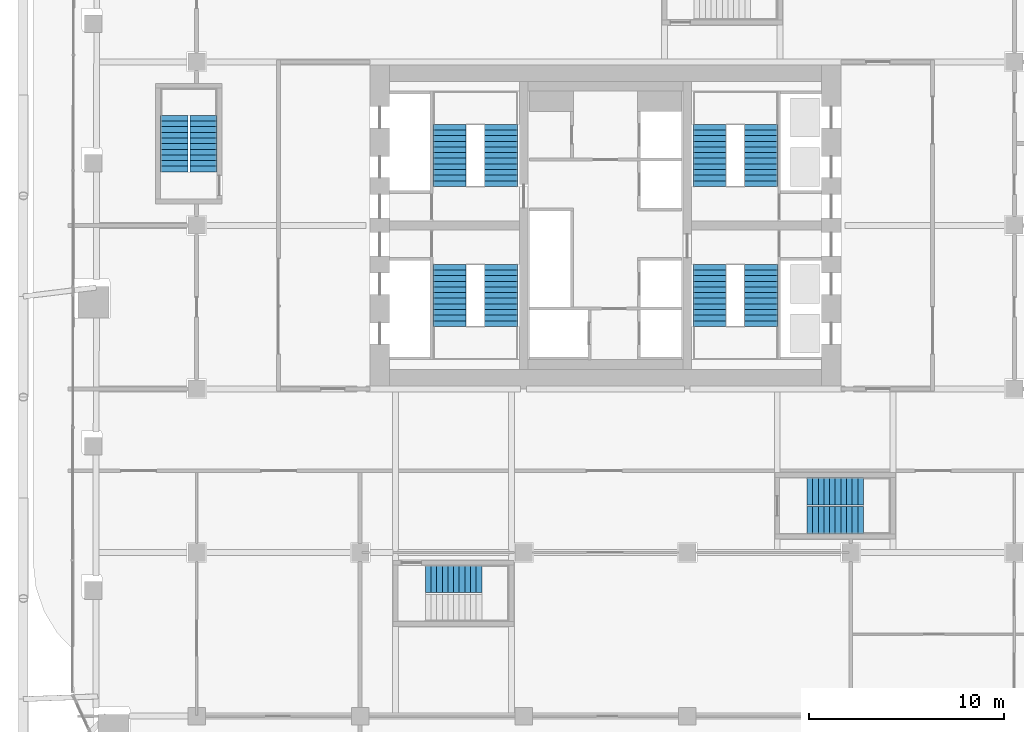
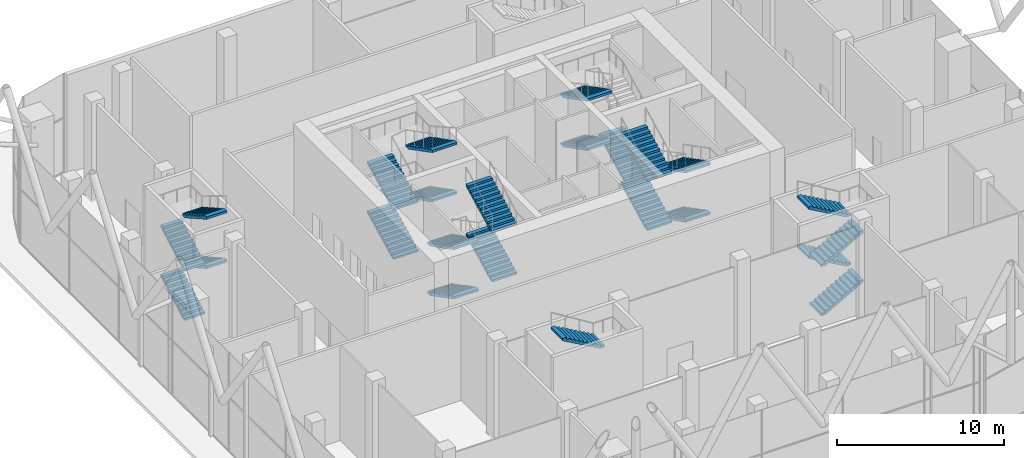
# One storey, part 29 of 34: 24 stair flights, 7 elements without a shape of their own.
"""IFC4 building model written with IfcOpenShell, lengths in metres."""

from ifc_helpers import new_model, si_unit, direction, frame, origin, place, context, subcontext, project, spatial, polyline, outline, extrude, material, type_object, element, aggregate, save


model = new_model("IFC4")

# Units and contexts
model_context = context("Model", 3, precision=1e-05, world=origin(), true_north=direction((0.0, 1.0)))
body_context = subcontext(model_context, "Body", "Model", "MODEL_VIEW")
ifc_project = project(units=[si_unit("LENGTHUNIT", "METRE"), si_unit("AREAUNIT", "SQUARE_METRE"), si_unit("VOLUMEUNIT", "CUBIC_METRE"), si_unit("PLANEANGLEUNIT", "RADIAN"), si_unit("MASSUNIT", "GRAM", prefix="KILO")], contexts=[model_context])

# Site, building, storey
site_placement = place(None, origin())
site = spatial("IfcSite", under=ifc_project, at=site_placement, CompositionType="ELEMENT")
building_placement = place(site_placement, origin())
building = spatial("IfcBuilding", under=site, at=building_placement, Name="Marenta Gate Hotel Tower", CompositionType="ELEMENT")
storey_placement = place(building_placement, frame((0.0, 0.0, 97.699951171875)))
storey = spatial("IfcBuildingStorey", under=building, at=storey_placement, Name="L21", CompositionType="ELEMENT", Elevation=97.699951171875)

# Stair, stair flights
ifc_material_1 = material(Name="Concrete C40", Category="concrete")
stair_type_1 = type_object("IfcStairType", Name="Core exit stair 1700 wide", PredefinedType="HALF_TURN_STAIR", material=ifc_material_1)
stair_1_placement = place(storey_placement, origin())
stair_1 = element("IfcStair", 1, at=stair_1_placement, inside=storey, type_object=stair_type_1, Name="Exit stair 1", PredefinedType="HALF_TURN_STAIR")
ifc_material_2 = material(Name="Concrete C40", Category="concrete")
stair_flight_type_1 = type_object("IfcStairFlightType", Name="Core stair flight 1700 riser 150.0 going 290", PredefinedType="STRAIGHT", material=ifc_material_2)
stair_flight_1_placement = place(storey_placement, frame((-8.0, 6.39990234375, 0.0), z_axis=(0.0, 0.0, 1.0), x_axis=(0.0, -1.0, 0.0)))
stair_flight_1 = element("IfcStairFlight", 2, at=stair_flight_1_placement, type_object=stair_flight_type_1, Name="ST1 flight 1", NumberOfRisers=12, NumberOfTreads=11, PredefinedType="STRAIGHT", RiserHeight=0.15, TreadLength=0.29, context=body_context, shape_type="SweptSolid", body=[
    extrude(outline(polyline([(0.0, 0.0), (0.0, 0.14990234375), (0.2900390625, 0.14990234375), (0.2900390625, 0.300048828125), (0.580078125, 0.300048828125), (0.580078125, 0.449951171875), (0.8701171875, 0.449951171875), (0.8701171875, 0.60009765625), (1.159912109375, 0.60009765625), (1.159912109375, 0.75), (1.449951171875, 0.75), (1.449951171875, 0.89990234375), (1.739990234375, 0.89990234375), (1.739990234375, 1.050048828125), (2.030029296875, 1.050048828125), (2.030029296875, 1.199951171875), (2.320068359375, 1.199951171875), (2.320068359375, 1.35009765625), (2.610107421875, 1.35009765625), (2.610107421875, 1.5), (2.89990234375, 1.5), (2.89990234375, 1.64990234375), (3.18994140625, 1.64990234375), (3.18994140625, 1.800048828125), (3.18994140625, 1.481201171875), (0.326171875, 0.0), (0.0, 0.0)])), frame((0.0, 0.85009765625, 0.0), z_axis=(0.0, -1.0, 0.0), x_axis=(1.0, 0.0, 0.0)), (0.0, 0.0, 1.0), 1.699951171875),
])
stair_flight_2_placement = place(storey_placement, frame((-5.35009765625, 3.2099609375, 1.800048828125), z_axis=(0.0, 0.0, 1.0), x_axis=(0.0, 1.0, 0.0)))
stair_flight_2 = element("IfcStairFlight", 3, at=stair_flight_2_placement, type_object=stair_flight_type_1, Name="ST1 flight 2", NumberOfRisers=12, NumberOfTreads=11, PredefinedType="STRAIGHT", RiserHeight=0.15, TreadLength=0.29, context=body_context, shape_type="SweptSolid", body=[
    extrude(outline(polyline([(0.0, 0.0), (0.0, 0.14990234375), (0.2900390625, 0.14990234375), (0.2900390625, 0.300048828125), (0.580078125, 0.300048828125), (0.580078125, 0.449951171875), (0.8701171875, 0.449951171875), (0.8701171875, 0.60009765625), (1.159912109375, 0.60009765625), (1.159912109375, 0.75), (1.449951171875, 0.75), (1.449951171875, 0.89990234375), (1.739990234375, 0.89990234375), (1.739990234375, 1.050048828125), (2.030029296875, 1.050048828125), (2.030029296875, 1.199951171875), (2.320068359375, 1.199951171875), (2.320068359375, 1.35009765625), (2.610107421875, 1.35009765625), (2.610107421875, 1.5), (2.89990234375, 1.5), (2.89990234375, 1.64990234375), (3.18994140625, 1.64990234375), (3.18994140625, 1.800048828125), (3.18994140625, 1.481201171875), (0.326171875, 0.0), (0.0, 0.0)])), frame((0.0, 0.85009765625, 0.0), z_axis=(0.0, -1.0, 0.0), x_axis=(1.0, 0.0, 0.0)), (0.0, 0.0, 1.0), 1.699951171875),
])
stair_flight_3_placement = place(storey_placement, frame((-8.0, 6.39990234375, 3.60009765625), z_axis=(0.0, 0.0, 1.0), x_axis=(0.0, -1.0, 0.0)))
stair_flight_3 = element("IfcStairFlight", 4, at=stair_flight_3_placement, type_object=stair_flight_type_1, Name="ST1 flight 3", NumberOfRisers=12, NumberOfTreads=11, PredefinedType="STRAIGHT", RiserHeight=0.15, TreadLength=0.29, context=body_context, shape_type="SweptSolid", body=[
    extrude(outline(polyline([(0.0, 0.0), (0.0, 0.14990234375), (0.2900390625, 0.14990234375), (0.2900390625, 0.300048828125), (0.580078125, 0.300048828125), (0.580078125, 0.449951171875), (0.8701171875, 0.449951171875), (0.8701171875, 0.60009765625), (1.159912109375, 0.60009765625), (1.159912109375, 0.75), (1.449951171875, 0.75), (1.449951171875, 0.89990234375), (1.739990234375, 0.89990234375), (1.739990234375, 1.050048828125), (2.030029296875, 1.050048828125), (2.030029296875, 1.199951171875), (2.320068359375, 1.199951171875), (2.320068359375, 1.35009765625), (2.610107421875, 1.35009765625), (2.610107421875, 1.5), (2.89990234375, 1.5), (2.89990234375, 1.64990234375), (3.18994140625, 1.64990234375), (3.18994140625, 1.800048828125), (3.18994140625, 1.481201171875), (0.326171875, 0.0), (0.0, 0.0)])), frame((0.0, 0.85009765625, 0.0), z_axis=(0.0, -1.0, 0.0), x_axis=(1.0, 0.0, 0.0)), (0.0, 0.0, 1.0), 1.699951171875),
])
stair_flight_4_placement = place(storey_placement, frame((-5.35009765625, 3.2099609375, 5.400146484375), z_axis=(0.0, 0.0, 1.0), x_axis=(0.0, 1.0, 0.0)))
stair_flight_4 = element("IfcStairFlight", 5, at=stair_flight_4_placement, type_object=stair_flight_type_1, Name="ST1 flight 4", NumberOfRisers=12, NumberOfTreads=11, PredefinedType="STRAIGHT", RiserHeight=0.15, TreadLength=0.29, context=body_context, shape_type="SweptSolid", body=[
    extrude(outline(polyline([(0.0, 0.0), (0.0, 0.14990234375), (0.2900390625, 0.14990234375), (0.2900390625, 0.300048828125), (0.580078125, 0.300048828125), (0.580078125, 0.449951171875), (0.8701171875, 0.449951171875), (0.8701171875, 0.60009765625), (1.159912109375, 0.60009765625), (1.159912109375, 0.75), (1.449951171875, 0.75), (1.449951171875, 0.89990234375), (1.739990234375, 0.89990234375), (1.739990234375, 1.050048828125), (2.030029296875, 1.050048828125), (2.030029296875, 1.199951171875), (2.320068359375, 1.199951171875), (2.320068359375, 1.35009765625), (2.610107421875, 1.35009765625), (2.610107421875, 1.5), (2.89990234375, 1.5), (2.89990234375, 1.64990234375), (3.18994140625, 1.64990234375), (3.18994140625, 1.800048828125), (3.18994140625, 1.481201171875), (0.326171875, 0.0), (0.0, 0.0)])), frame((0.0, 0.85009765625, 0.0), z_axis=(0.0, -1.0, 0.0), x_axis=(1.0, 0.0, 0.0)), (0.0, 0.0, 1.0), 1.699951171875),
])
aggregate(stair_1, [stair_flight_1, stair_flight_2, stair_flight_3, stair_flight_4])

stair_2_placement = place(storey_placement, origin())
stair_2 = element("IfcStair", 6, at=stair_2_placement, inside=storey, type_object=stair_type_1, Name="Exit stair 2", PredefinedType="HALF_TURN_STAIR")
stair_flight_5_placement = place(storey_placement, frame((-8.0, 10.39990234375, 0.0), z_axis=(0.0, 0.0, 1.0), x_axis=(0.0, 1.0, 0.0)))
stair_flight_5 = element("IfcStairFlight", 7, at=stair_flight_5_placement, type_object=stair_flight_type_1, Name="ST2 flight 1", NumberOfRisers=12, NumberOfTreads=11, PredefinedType="STRAIGHT", RiserHeight=0.15, TreadLength=0.29, context=body_context, shape_type="SweptSolid", body=[
    extrude(outline(polyline([(0.0, 0.0), (0.0, 0.14990234375), (0.2900390625, 0.14990234375), (0.2900390625, 0.300048828125), (0.580078125, 0.300048828125), (0.580078125, 0.449951171875), (0.8701171875, 0.449951171875), (0.8701171875, 0.60009765625), (1.159912109375, 0.60009765625), (1.159912109375, 0.75), (1.449951171875, 0.75), (1.449951171875, 0.89990234375), (1.739990234375, 0.89990234375), (1.739990234375, 1.050048828125), (2.030029296875, 1.050048828125), (2.030029296875, 1.199951171875), (2.320068359375, 1.199951171875), (2.320068359375, 1.35009765625), (2.610107421875, 1.35009765625), (2.610107421875, 1.5), (2.89990234375, 1.5), (2.89990234375, 1.64990234375), (3.18994140625, 1.64990234375), (3.18994140625, 1.800048828125), (3.18994140625, 1.481201171875), (0.326171875, 0.0), (0.0, 0.0)])), frame((0.0, 0.85009765625, 0.0), z_axis=(0.0, -1.0, 0.0), x_axis=(1.0, 0.0, 0.0)), (0.0, 0.0, 1.0), 1.699951171875),
])
stair_flight_6_placement = place(storey_placement, frame((-5.35009765625, 13.590087890625, 1.800048828125), z_axis=(0.0, 0.0, 1.0), x_axis=(0.0, -1.0, 0.0)))
stair_flight_6 = element("IfcStairFlight", 8, at=stair_flight_6_placement, type_object=stair_flight_type_1, Name="ST2 flight 2", NumberOfRisers=12, NumberOfTreads=11, PredefinedType="STRAIGHT", RiserHeight=0.15, TreadLength=0.29, context=body_context, shape_type="SweptSolid", body=[
    extrude(outline(polyline([(0.0, 0.0), (0.0, 0.14990234375), (0.2900390625, 0.14990234375), (0.2900390625, 0.300048828125), (0.580078125, 0.300048828125), (0.580078125, 0.449951171875), (0.8701171875, 0.449951171875), (0.8701171875, 0.60009765625), (1.159912109375, 0.60009765625), (1.159912109375, 0.75), (1.449951171875, 0.75), (1.449951171875, 0.89990234375), (1.739990234375, 0.89990234375), (1.739990234375, 1.050048828125), (2.030029296875, 1.050048828125), (2.030029296875, 1.199951171875), (2.320068359375, 1.199951171875), (2.320068359375, 1.35009765625), (2.610107421875, 1.35009765625), (2.610107421875, 1.5), (2.89990234375, 1.5), (2.89990234375, 1.64990234375), (3.18994140625, 1.64990234375), (3.18994140625, 1.800048828125), (3.18994140625, 1.481201171875), (0.326171875, 0.0), (0.0, 0.0)])), frame((0.0, 0.85009765625, 0.0), z_axis=(0.0, -1.0, 0.0), x_axis=(1.0, 0.0, 0.0)), (0.0, 0.0, 1.0), 1.699951171875),
])
stair_flight_7_placement = place(storey_placement, frame((-8.0, 10.39990234375, 3.60009765625), z_axis=(0.0, 0.0, 1.0), x_axis=(0.0, 1.0, 0.0)))
stair_flight_7 = element("IfcStairFlight", 9, at=stair_flight_7_placement, type_object=stair_flight_type_1, Name="ST2 flight 3", NumberOfRisers=12, NumberOfTreads=11, PredefinedType="STRAIGHT", RiserHeight=0.15, TreadLength=0.29, context=body_context, shape_type="SweptSolid", body=[
    extrude(outline(polyline([(0.0, 0.0), (0.0, 0.14990234375), (0.2900390625, 0.14990234375), (0.2900390625, 0.300048828125), (0.580078125, 0.300048828125), (0.580078125, 0.449951171875), (0.8701171875, 0.449951171875), (0.8701171875, 0.60009765625), (1.159912109375, 0.60009765625), (1.159912109375, 0.75), (1.449951171875, 0.75), (1.449951171875, 0.89990234375), (1.739990234375, 0.89990234375), (1.739990234375, 1.050048828125), (2.030029296875, 1.050048828125), (2.030029296875, 1.199951171875), (2.320068359375, 1.199951171875), (2.320068359375, 1.35009765625), (2.610107421875, 1.35009765625), (2.610107421875, 1.5), (2.89990234375, 1.5), (2.89990234375, 1.64990234375), (3.18994140625, 1.64990234375), (3.18994140625, 1.800048828125), (3.18994140625, 1.481201171875), (0.326171875, 0.0), (0.0, 0.0)])), frame((0.0, 0.85009765625, 0.0), z_axis=(0.0, -1.0, 0.0), x_axis=(1.0, 0.0, 0.0)), (0.0, 0.0, 1.0), 1.699951171875),
])
stair_flight_8_placement = place(storey_placement, frame((-5.35009765625, 13.590087890625, 5.400146484375), z_axis=(0.0, 0.0, 1.0), x_axis=(0.0, -1.0, 0.0)))
stair_flight_8 = element("IfcStairFlight", 10, at=stair_flight_8_placement, type_object=stair_flight_type_1, Name="ST2 flight 4", NumberOfRisers=12, NumberOfTreads=11, PredefinedType="STRAIGHT", RiserHeight=0.15, TreadLength=0.29, context=body_context, shape_type="SweptSolid", body=[
    extrude(outline(polyline([(0.0, 0.0), (0.0, 0.14990234375), (0.2900390625, 0.14990234375), (0.2900390625, 0.300048828125), (0.580078125, 0.300048828125), (0.580078125, 0.449951171875), (0.8701171875, 0.449951171875), (0.8701171875, 0.60009765625), (1.159912109375, 0.60009765625), (1.159912109375, 0.75), (1.449951171875, 0.75), (1.449951171875, 0.89990234375), (1.739990234375, 0.89990234375), (1.739990234375, 1.050048828125), (2.030029296875, 1.050048828125), (2.030029296875, 1.199951171875), (2.320068359375, 1.199951171875), (2.320068359375, 1.35009765625), (2.610107421875, 1.35009765625), (2.610107421875, 1.5), (2.89990234375, 1.5), (2.89990234375, 1.64990234375), (3.18994140625, 1.64990234375), (3.18994140625, 1.800048828125), (3.18994140625, 1.481201171875), (0.326171875, 0.0), (0.0, 0.0)])), frame((0.0, 0.85009765625, 0.0), z_axis=(0.0, -1.0, 0.0), x_axis=(1.0, 0.0, 0.0)), (0.0, 0.0, 1.0), 1.699951171875),
])
aggregate(stair_2, [stair_flight_5, stair_flight_6, stair_flight_7, stair_flight_8])

stair_3_placement = place(storey_placement, origin())
stair_3 = element("IfcStair", 11, at=stair_3_placement, inside=storey, type_object=stair_type_1, Name="Exit stair 3", PredefinedType="HALF_TURN_STAIR")
stair_flight_9_placement = place(storey_placement, frame((8.0, 6.39990234375, 0.0), z_axis=(0.0, 0.0, 1.0), x_axis=(0.0, -1.0, 0.0)))
stair_flight_9 = element("IfcStairFlight", 12, at=stair_flight_9_placement, type_object=stair_flight_type_1, Name="ST3 flight 1", NumberOfRisers=12, NumberOfTreads=11, PredefinedType="STRAIGHT", RiserHeight=0.15, TreadLength=0.29, context=body_context, shape_type="SweptSolid", body=[
    extrude(outline(polyline([(0.0, 0.0), (0.0, 0.14990234375), (0.2900390625, 0.14990234375), (0.2900390625, 0.300048828125), (0.580078125, 0.300048828125), (0.580078125, 0.449951171875), (0.8701171875, 0.449951171875), (0.8701171875, 0.60009765625), (1.159912109375, 0.60009765625), (1.159912109375, 0.75), (1.449951171875, 0.75), (1.449951171875, 0.89990234375), (1.739990234375, 0.89990234375), (1.739990234375, 1.050048828125), (2.030029296875, 1.050048828125), (2.030029296875, 1.199951171875), (2.320068359375, 1.199951171875), (2.320068359375, 1.35009765625), (2.610107421875, 1.35009765625), (2.610107421875, 1.5), (2.89990234375, 1.5), (2.89990234375, 1.64990234375), (3.18994140625, 1.64990234375), (3.18994140625, 1.800048828125), (3.18994140625, 1.481201171875), (0.326171875, 0.0), (0.0, 0.0)])), frame((0.0, 0.85009765625, 0.0), z_axis=(0.0, -1.0, 0.0), x_axis=(1.0, 0.0, 0.0)), (0.0, 0.0, 1.0), 1.699951171875),
])
stair_flight_10_placement = place(storey_placement, frame((5.35009765625, 3.2099609375, 1.800048828125), z_axis=(0.0, 0.0, 1.0), x_axis=(0.0, 1.0, 0.0)))
stair_flight_10 = element("IfcStairFlight", 13, at=stair_flight_10_placement, type_object=stair_flight_type_1, Name="ST3 flight 2", NumberOfRisers=12, NumberOfTreads=11, PredefinedType="STRAIGHT", RiserHeight=0.15, TreadLength=0.29, context=body_context, shape_type="SweptSolid", body=[
    extrude(outline(polyline([(0.0, 0.0), (0.0, 0.14990234375), (0.2900390625, 0.14990234375), (0.2900390625, 0.300048828125), (0.580078125, 0.300048828125), (0.580078125, 0.449951171875), (0.8701171875, 0.449951171875), (0.8701171875, 0.60009765625), (1.159912109375, 0.60009765625), (1.159912109375, 0.75), (1.449951171875, 0.75), (1.449951171875, 0.89990234375), (1.739990234375, 0.89990234375), (1.739990234375, 1.050048828125), (2.030029296875, 1.050048828125), (2.030029296875, 1.199951171875), (2.320068359375, 1.199951171875), (2.320068359375, 1.35009765625), (2.610107421875, 1.35009765625), (2.610107421875, 1.5), (2.89990234375, 1.5), (2.89990234375, 1.64990234375), (3.18994140625, 1.64990234375), (3.18994140625, 1.800048828125), (3.18994140625, 1.481201171875), (0.326171875, 0.0), (0.0, 0.0)])), frame((0.0, 0.85009765625, 0.0), z_axis=(0.0, -1.0, 0.0), x_axis=(1.0, 0.0, 0.0)), (0.0, 0.0, 1.0), 1.699951171875),
])
stair_flight_11_placement = place(storey_placement, frame((8.0, 6.39990234375, 3.60009765625), z_axis=(0.0, 0.0, 1.0), x_axis=(0.0, -1.0, 0.0)))
stair_flight_11 = element("IfcStairFlight", 14, at=stair_flight_11_placement, type_object=stair_flight_type_1, Name="ST3 flight 3", NumberOfRisers=12, NumberOfTreads=11, PredefinedType="STRAIGHT", RiserHeight=0.15, TreadLength=0.29, context=body_context, shape_type="SweptSolid", body=[
    extrude(outline(polyline([(0.0, 0.0), (0.0, 0.14990234375), (0.2900390625, 0.14990234375), (0.2900390625, 0.300048828125), (0.580078125, 0.300048828125), (0.580078125, 0.449951171875), (0.8701171875, 0.449951171875), (0.8701171875, 0.60009765625), (1.159912109375, 0.60009765625), (1.159912109375, 0.75), (1.449951171875, 0.75), (1.449951171875, 0.89990234375), (1.739990234375, 0.89990234375), (1.739990234375, 1.050048828125), (2.030029296875, 1.050048828125), (2.030029296875, 1.199951171875), (2.320068359375, 1.199951171875), (2.320068359375, 1.35009765625), (2.610107421875, 1.35009765625), (2.610107421875, 1.5), (2.89990234375, 1.5), (2.89990234375, 1.64990234375), (3.18994140625, 1.64990234375), (3.18994140625, 1.800048828125), (3.18994140625, 1.481201171875), (0.326171875, 0.0), (0.0, 0.0)])), frame((0.0, 0.85009765625, 0.0), z_axis=(0.0, -1.0, 0.0), x_axis=(1.0, 0.0, 0.0)), (0.0, 0.0, 1.0), 1.699951171875),
])
stair_flight_12_placement = place(storey_placement, frame((5.35009765625, 3.2099609375, 5.400146484375), z_axis=(0.0, 0.0, 1.0), x_axis=(0.0, 1.0, 0.0)))
stair_flight_12 = element("IfcStairFlight", 15, at=stair_flight_12_placement, type_object=stair_flight_type_1, Name="ST3 flight 4", NumberOfRisers=12, NumberOfTreads=11, PredefinedType="STRAIGHT", RiserHeight=0.15, TreadLength=0.29, context=body_context, shape_type="SweptSolid", body=[
    extrude(outline(polyline([(0.0, 0.0), (0.0, 0.14990234375), (0.2900390625, 0.14990234375), (0.2900390625, 0.300048828125), (0.580078125, 0.300048828125), (0.580078125, 0.449951171875), (0.8701171875, 0.449951171875), (0.8701171875, 0.60009765625), (1.159912109375, 0.60009765625), (1.159912109375, 0.75), (1.449951171875, 0.75), (1.449951171875, 0.89990234375), (1.739990234375, 0.89990234375), (1.739990234375, 1.050048828125), (2.030029296875, 1.050048828125), (2.030029296875, 1.199951171875), (2.320068359375, 1.199951171875), (2.320068359375, 1.35009765625), (2.610107421875, 1.35009765625), (2.610107421875, 1.5), (2.89990234375, 1.5), (2.89990234375, 1.64990234375), (3.18994140625, 1.64990234375), (3.18994140625, 1.800048828125), (3.18994140625, 1.481201171875), (0.326171875, 0.0), (0.0, 0.0)])), frame((0.0, 0.85009765625, 0.0), z_axis=(0.0, -1.0, 0.0), x_axis=(1.0, 0.0, 0.0)), (0.0, 0.0, 1.0), 1.699951171875),
])
aggregate(stair_3, [stair_flight_9, stair_flight_10, stair_flight_11, stair_flight_12])

stair_4_placement = place(storey_placement, origin())
stair_4 = element("IfcStair", 16, at=stair_4_placement, inside=storey, type_object=stair_type_1, Name="Exit stair 4", PredefinedType="HALF_TURN_STAIR")
stair_flight_13_placement = place(storey_placement, frame((8.0, 10.39990234375, 0.0), z_axis=(0.0, 0.0, 1.0), x_axis=(0.0, 1.0, 0.0)))
stair_flight_13 = element("IfcStairFlight", 17, at=stair_flight_13_placement, type_object=stair_flight_type_1, Name="ST4 flight 1", NumberOfRisers=12, NumberOfTreads=11, PredefinedType="STRAIGHT", RiserHeight=0.15, TreadLength=0.29, context=body_context, shape_type="SweptSolid", body=[
    extrude(outline(polyline([(0.0, 0.0), (0.0, 0.14990234375), (0.2900390625, 0.14990234375), (0.2900390625, 0.300048828125), (0.580078125, 0.300048828125), (0.580078125, 0.449951171875), (0.8701171875, 0.449951171875), (0.8701171875, 0.60009765625), (1.159912109375, 0.60009765625), (1.159912109375, 0.75), (1.449951171875, 0.75), (1.449951171875, 0.89990234375), (1.739990234375, 0.89990234375), (1.739990234375, 1.050048828125), (2.030029296875, 1.050048828125), (2.030029296875, 1.199951171875), (2.320068359375, 1.199951171875), (2.320068359375, 1.35009765625), (2.610107421875, 1.35009765625), (2.610107421875, 1.5), (2.89990234375, 1.5), (2.89990234375, 1.64990234375), (3.18994140625, 1.64990234375), (3.18994140625, 1.800048828125), (3.18994140625, 1.481201171875), (0.326171875, 0.0), (0.0, 0.0)])), frame((0.0, 0.85009765625, 0.0), z_axis=(0.0, -1.0, 0.0), x_axis=(1.0, 0.0, 0.0)), (0.0, 0.0, 1.0), 1.699951171875),
])
stair_flight_14_placement = place(storey_placement, frame((5.35009765625, 13.590087890625, 1.800048828125), z_axis=(0.0, 0.0, 1.0), x_axis=(0.0, -1.0, 0.0)))
stair_flight_14 = element("IfcStairFlight", 18, at=stair_flight_14_placement, type_object=stair_flight_type_1, Name="ST4 flight 2", NumberOfRisers=12, NumberOfTreads=11, PredefinedType="STRAIGHT", RiserHeight=0.15, TreadLength=0.29, context=body_context, shape_type="SweptSolid", body=[
    extrude(outline(polyline([(0.0, 0.0), (0.0, 0.14990234375), (0.2900390625, 0.14990234375), (0.2900390625, 0.300048828125), (0.580078125, 0.300048828125), (0.580078125, 0.449951171875), (0.8701171875, 0.449951171875), (0.8701171875, 0.60009765625), (1.159912109375, 0.60009765625), (1.159912109375, 0.75), (1.449951171875, 0.75), (1.449951171875, 0.89990234375), (1.739990234375, 0.89990234375), (1.739990234375, 1.050048828125), (2.030029296875, 1.050048828125), (2.030029296875, 1.199951171875), (2.320068359375, 1.199951171875), (2.320068359375, 1.35009765625), (2.610107421875, 1.35009765625), (2.610107421875, 1.5), (2.89990234375, 1.5), (2.89990234375, 1.64990234375), (3.18994140625, 1.64990234375), (3.18994140625, 1.800048828125), (3.18994140625, 1.481201171875), (0.326171875, 0.0), (0.0, 0.0)])), frame((0.0, 0.85009765625, 0.0), z_axis=(0.0, -1.0, 0.0), x_axis=(1.0, 0.0, 0.0)), (0.0, 0.0, 1.0), 1.699951171875),
])
stair_flight_15_placement = place(storey_placement, frame((5.35009765625, 13.590087890625, 5.400146484375), z_axis=(0.0, 0.0, 1.0), x_axis=(0.0, -1.0, 0.0)))
stair_flight_15 = element("IfcStairFlight", 19, at=stair_flight_15_placement, type_object=stair_flight_type_1, Name="ST4 flight 4", NumberOfRisers=12, NumberOfTreads=11, PredefinedType="STRAIGHT", RiserHeight=0.15, TreadLength=0.29, context=body_context, shape_type="SweptSolid", body=[
    extrude(outline(polyline([(0.0, 0.0), (0.0, 0.14990234375), (0.2900390625, 0.14990234375), (0.2900390625, 0.300048828125), (0.580078125, 0.300048828125), (0.580078125, 0.449951171875), (0.8701171875, 0.449951171875), (0.8701171875, 0.60009765625), (1.159912109375, 0.60009765625), (1.159912109375, 0.75), (1.449951171875, 0.75), (1.449951171875, 0.89990234375), (1.739990234375, 0.89990234375), (1.739990234375, 1.050048828125), (2.030029296875, 1.050048828125), (2.030029296875, 1.199951171875), (2.320068359375, 1.199951171875), (2.320068359375, 1.35009765625), (2.610107421875, 1.35009765625), (2.610107421875, 1.5), (2.89990234375, 1.5), (2.89990234375, 1.64990234375), (3.18994140625, 1.64990234375), (3.18994140625, 1.800048828125), (3.18994140625, 1.481201171875), (0.326171875, 0.0), (0.0, 0.0)])), frame((0.0, 0.85009765625, 0.0), z_axis=(0.0, -1.0, 0.0), x_axis=(1.0, 0.0, 0.0)), (0.0, 0.0, 1.0), 1.699951171875),
])
aggregate(stair_4, [stair_flight_13, stair_flight_14, stair_flight_15])

ifc_material_3 = material(Name="Concrete C40", Category="concrete")
stair_type_2 = type_object("IfcStairType", Name="Remote exit stair 1400 wide", PredefinedType="HALF_TURN_STAIR", material=ifc_material_3)
stair_5_placement = place(storey_placement, origin())
stair_5 = element("IfcStair", 20, at=stair_5_placement, inside=storey, type_object=stair_type_2, Name="Exit stair RS-Z1-3", PredefinedType="HALF_TURN_STAIR")
ifc_material_4 = material(Name="Concrete C40", Category="concrete")
stair_flight_type_2 = type_object("IfcStairFlightType", Name="Remote stair flight 1400 riser 163.6 going 290", PredefinedType="STRAIGHT", material=ifc_material_4)
stair_flight_16_placement = place(storey_placement, frame((-22.14990234375, 11.14990234375, 0.0), z_axis=(0.0, 0.0, 1.0), x_axis=(0.0, 1.0, 0.0)))
stair_flight_16 = element("IfcStairFlight", 21, at=stair_flight_16_placement, type_object=stair_flight_type_2, Name="RS-Z1-3 flight 1", NumberOfRisers=11, NumberOfTreads=10, PredefinedType="STRAIGHT", RiserHeight=0.163636, TreadLength=0.29, context=body_context, shape_type="SweptSolid", body=[
    extrude(outline(polyline([(0.0, 0.0), (0.0, 0.16357421875), (0.2900390625, 0.16357421875), (0.2900390625, 0.327392578125), (0.580078125, 0.327392578125), (0.580078125, 0.490966796875), (0.8701171875, 0.490966796875), (0.8701171875, 0.654541015625), (1.159912109375, 0.654541015625), (1.159912109375, 0.818115234375), (1.449951171875, 0.818115234375), (1.449951171875, 0.98193359375), (1.739990234375, 0.98193359375), (1.739990234375, 1.1455078125), (2.030029296875, 1.1455078125), (2.030029296875, 1.30908203125), (2.320068359375, 1.30908203125), (2.320068359375, 1.47265625), (2.610107421875, 1.47265625), (2.610107421875, 1.636474609375), (2.89990234375, 1.636474609375), (2.89990234375, 1.800048828125), (2.89990234375, 1.46435546875), (0.304931640625, 0.0), (0.0, 0.0)])), frame((0.0, 0.699951171875, 0.0), z_axis=(0.0, -1.0, 0.0), x_axis=(1.0, 0.0, 0.0)), (0.0, 0.0, 1.0), 1.39990234375),
])
stair_flight_17_placement = place(storey_placement, frame((-20.64990234375, 14.050048828125, 1.800048828125), z_axis=(0.0, 0.0, 1.0), x_axis=(0.0, -1.0, 0.0)))
stair_flight_17 = element("IfcStairFlight", 22, at=stair_flight_17_placement, type_object=stair_flight_type_2, Name="RS-Z1-3 flight 2", NumberOfRisers=11, NumberOfTreads=10, PredefinedType="STRAIGHT", RiserHeight=0.163636, TreadLength=0.29, context=body_context, shape_type="SweptSolid", body=[
    extrude(outline(polyline([(0.0, 0.0), (0.0, 0.16357421875), (0.2900390625, 0.16357421875), (0.2900390625, 0.327392578125), (0.580078125, 0.327392578125), (0.580078125, 0.490966796875), (0.8701171875, 0.490966796875), (0.8701171875, 0.654541015625), (1.159912109375, 0.654541015625), (1.159912109375, 0.818115234375), (1.449951171875, 0.818115234375), (1.449951171875, 0.98193359375), (1.739990234375, 0.98193359375), (1.739990234375, 1.1455078125), (2.030029296875, 1.1455078125), (2.030029296875, 1.30908203125), (2.320068359375, 1.30908203125), (2.320068359375, 1.47265625), (2.610107421875, 1.47265625), (2.610107421875, 1.636474609375), (2.89990234375, 1.636474609375), (2.89990234375, 1.800048828125), (2.89990234375, 1.46435546875), (0.304931640625, 0.0), (0.0, 0.0)])), frame((0.0, 0.699951171875, 0.0), z_axis=(0.0, -1.0, 0.0), x_axis=(1.0, 0.0, 0.0)), (0.0, 0.0, 1.0), 1.39990234375),
])
stair_flight_18_placement = place(storey_placement, frame((-22.14990234375, 11.14990234375, 3.60009765625), z_axis=(0.0, 0.0, 1.0), x_axis=(0.0, 1.0, 0.0)))
stair_flight_18 = element("IfcStairFlight", 23, at=stair_flight_18_placement, type_object=stair_flight_type_2, Name="RS-Z1-3 flight 3", NumberOfRisers=11, NumberOfTreads=10, PredefinedType="STRAIGHT", RiserHeight=0.163636, TreadLength=0.29, context=body_context, shape_type="SweptSolid", body=[
    extrude(outline(polyline([(0.0, 0.0), (0.0, 0.16357421875), (0.2900390625, 0.16357421875), (0.2900390625, 0.327392578125), (0.580078125, 0.327392578125), (0.580078125, 0.490966796875), (0.8701171875, 0.490966796875), (0.8701171875, 0.654541015625), (1.159912109375, 0.654541015625), (1.159912109375, 0.818115234375), (1.449951171875, 0.818115234375), (1.449951171875, 0.98193359375), (1.739990234375, 0.98193359375), (1.739990234375, 1.1455078125), (2.030029296875, 1.1455078125), (2.030029296875, 1.30908203125), (2.320068359375, 1.30908203125), (2.320068359375, 1.47265625), (2.610107421875, 1.47265625), (2.610107421875, 1.636474609375), (2.89990234375, 1.636474609375), (2.89990234375, 1.800048828125), (2.89990234375, 1.46435546875), (0.304931640625, 0.0), (0.0, 0.0)])), frame((0.0, 0.699951171875, 0.0), z_axis=(0.0, -1.0, 0.0), x_axis=(1.0, 0.0, 0.0)), (0.0, 0.0, 1.0), 1.39990234375),
])
stair_flight_19_placement = place(storey_placement, frame((-20.64990234375, 14.050048828125, 5.400146484375), z_axis=(0.0, 0.0, 1.0), x_axis=(0.0, -1.0, 0.0)))
stair_flight_19 = element("IfcStairFlight", 24, at=stair_flight_19_placement, type_object=stair_flight_type_2, Name="RS-Z1-3 flight 4", NumberOfRisers=11, NumberOfTreads=10, PredefinedType="STRAIGHT", RiserHeight=0.163636, TreadLength=0.29, context=body_context, shape_type="SweptSolid", body=[
    extrude(outline(polyline([(0.0, 0.0), (0.0, 0.16357421875), (0.2900390625, 0.16357421875), (0.2900390625, 0.327392578125), (0.580078125, 0.327392578125), (0.580078125, 0.490966796875), (0.8701171875, 0.490966796875), (0.8701171875, 0.654541015625), (1.159912109375, 0.654541015625), (1.159912109375, 0.818115234375), (1.449951171875, 0.818115234375), (1.449951171875, 0.98193359375), (1.739990234375, 0.98193359375), (1.739990234375, 1.1455078125), (2.030029296875, 1.1455078125), (2.030029296875, 1.30908203125), (2.320068359375, 1.30908203125), (2.320068359375, 1.47265625), (2.610107421875, 1.47265625), (2.610107421875, 1.636474609375), (2.89990234375, 1.636474609375), (2.89990234375, 1.800048828125), (2.89990234375, 1.46435546875), (0.304931640625, 0.0), (0.0, 0.0)])), frame((0.0, 0.699951171875, 0.0), z_axis=(0.0, -1.0, 0.0), x_axis=(1.0, 0.0, 0.0)), (0.0, 0.0, 1.0), 1.39990234375),
])
aggregate(stair_5, [stair_flight_16, stair_flight_17, stair_flight_18, stair_flight_19])

# Stair, stair flight
stair_6_placement = place(storey_placement, origin())
stair_6 = element("IfcStair", 25, at=stair_6_placement, inside=storey, type_object=stair_type_2, Name="Exit stair RS-Z2-1", PredefinedType="HALF_TURN_STAIR")
stair_flight_20_placement = place(storey_placement, frame((-6.35009765625, -9.75, 5.400146484375), z_axis=(0.0, 0.0, 1.0), x_axis=(-1.0, 0.0, 0.0)))
stair_flight_20 = element("IfcStairFlight", 26, at=stair_flight_20_placement, type_object=stair_flight_type_2, Name="RS-Z2-1 flight 4", NumberOfRisers=11, NumberOfTreads=10, PredefinedType="STRAIGHT", RiserHeight=0.163636, TreadLength=0.29, context=body_context, shape_type="SweptSolid", body=[
    extrude(outline(polyline([(0.0, 0.0), (0.0, 0.16357421875), (0.2900390625, 0.16357421875), (0.2900390625, 0.327392578125), (0.580078125, 0.327392578125), (0.580078125, 0.490966796875), (0.8701171875, 0.490966796875), (0.8701171875, 0.654541015625), (1.159912109375, 0.654541015625), (1.159912109375, 0.818115234375), (1.449951171875, 0.818115234375), (1.449951171875, 0.98193359375), (1.739990234375, 0.98193359375), (1.739990234375, 1.1455078125), (2.030029296875, 1.1455078125), (2.030029296875, 1.30908203125), (2.320068359375, 1.30908203125), (2.320068359375, 1.47265625), (2.610107421875, 1.47265625), (2.610107421875, 1.636474609375), (2.89990234375, 1.636474609375), (2.89990234375, 1.800048828125), (2.89990234375, 1.46435546875), (0.304931640625, 0.0), (0.0, 0.0)])), frame((0.0, 0.699951171875, 0.0), z_axis=(0.0, -1.0, 0.0), x_axis=(1.0, 0.0, 0.0)), (0.0, 0.0, 1.0), 1.39990234375),
])
aggregate(stair_6, [stair_flight_20])

# Stair, stair flights
stair_7_placement = place(storey_placement, origin())
stair_7 = element("IfcStair", 27, at=stair_7_placement, inside=storey, type_object=stair_type_2, Name="Exit stair RS-Z2-2", PredefinedType="HALF_TURN_STAIR")
stair_flight_21_placement = place(storey_placement, frame((10.35009765625, -6.75, 0.0), z_axis=(0.0, 0.0, 1.0), x_axis=(1.0, 0.0, 0.0)))
stair_flight_21 = element("IfcStairFlight", 28, at=stair_flight_21_placement, type_object=stair_flight_type_2, Name="RS-Z2-2 flight 1", NumberOfRisers=11, NumberOfTreads=10, PredefinedType="STRAIGHT", RiserHeight=0.163636, TreadLength=0.29, context=body_context, shape_type="SweptSolid", body=[
    extrude(outline(polyline([(0.0, 0.0), (0.0, 0.16357421875), (0.2900390625, 0.16357421875), (0.2900390625, 0.327392578125), (0.580078125, 0.327392578125), (0.580078125, 0.490966796875), (0.8701171875, 0.490966796875), (0.8701171875, 0.654541015625), (1.159912109375, 0.654541015625), (1.159912109375, 0.818115234375), (1.449951171875, 0.818115234375), (1.449951171875, 0.98193359375), (1.739990234375, 0.98193359375), (1.739990234375, 1.1455078125), (2.030029296875, 1.1455078125), (2.030029296875, 1.30908203125), (2.320068359375, 1.30908203125), (2.320068359375, 1.47265625), (2.610107421875, 1.47265625), (2.610107421875, 1.636474609375), (2.89990234375, 1.636474609375), (2.89990234375, 1.800048828125), (2.89990234375, 1.46435546875), (0.304931640625, 0.0), (0.0, 0.0)])), frame((0.0, 0.699951171875, 0.0), z_axis=(0.0, -1.0, 0.0), x_axis=(1.0, 0.0, 0.0)), (0.0, 0.0, 1.0), 1.39990234375),
])
stair_flight_22_placement = place(storey_placement, frame((13.25, -5.25, 1.800048828125), z_axis=(0.0, 0.0, 1.0), x_axis=(-1.0, 0.0, 0.0)))
stair_flight_22 = element("IfcStairFlight", 29, at=stair_flight_22_placement, type_object=stair_flight_type_2, Name="RS-Z2-2 flight 2", NumberOfRisers=11, NumberOfTreads=10, PredefinedType="STRAIGHT", RiserHeight=0.163636, TreadLength=0.29, context=body_context, shape_type="SweptSolid", body=[
    extrude(outline(polyline([(0.0, 0.0), (0.0, 0.16357421875), (0.2900390625, 0.16357421875), (0.2900390625, 0.327392578125), (0.580078125, 0.327392578125), (0.580078125, 0.490966796875), (0.8701171875, 0.490966796875), (0.8701171875, 0.654541015625), (1.159912109375, 0.654541015625), (1.159912109375, 0.818115234375), (1.449951171875, 0.818115234375), (1.449951171875, 0.98193359375), (1.739990234375, 0.98193359375), (1.739990234375, 1.1455078125), (2.030029296875, 1.1455078125), (2.030029296875, 1.30908203125), (2.320068359375, 1.30908203125), (2.320068359375, 1.47265625), (2.610107421875, 1.47265625), (2.610107421875, 1.636474609375), (2.89990234375, 1.636474609375), (2.89990234375, 1.800048828125), (2.89990234375, 1.46435546875), (0.304931640625, 0.0), (0.0, 0.0)])), frame((0.0, 0.699951171875, 0.0), z_axis=(0.0, -1.0, 0.0), x_axis=(1.0, 0.0, 0.0)), (0.0, 0.0, 1.0), 1.39990234375),
])
stair_flight_23_placement = place(storey_placement, frame((10.35009765625, -6.75, 3.60009765625), z_axis=(0.0, 0.0, 1.0), x_axis=(1.0, 0.0, 0.0)))
stair_flight_23 = element("IfcStairFlight", 30, at=stair_flight_23_placement, type_object=stair_flight_type_2, Name="RS-Z2-2 flight 3", NumberOfRisers=11, NumberOfTreads=10, PredefinedType="STRAIGHT", RiserHeight=0.163636, TreadLength=0.29, context=body_context, shape_type="SweptSolid", body=[
    extrude(outline(polyline([(0.0, 0.0), (0.0, 0.16357421875), (0.2900390625, 0.16357421875), (0.2900390625, 0.327392578125), (0.580078125, 0.327392578125), (0.580078125, 0.490966796875), (0.8701171875, 0.490966796875), (0.8701171875, 0.654541015625), (1.159912109375, 0.654541015625), (1.159912109375, 0.818115234375), (1.449951171875, 0.818115234375), (1.449951171875, 0.98193359375), (1.739990234375, 0.98193359375), (1.739990234375, 1.1455078125), (2.030029296875, 1.1455078125), (2.030029296875, 1.30908203125), (2.320068359375, 1.30908203125), (2.320068359375, 1.47265625), (2.610107421875, 1.47265625), (2.610107421875, 1.636474609375), (2.89990234375, 1.636474609375), (2.89990234375, 1.800048828125), (2.89990234375, 1.46435546875), (0.304931640625, 0.0), (0.0, 0.0)])), frame((0.0, 0.699951171875, 0.0), z_axis=(0.0, -1.0, 0.0), x_axis=(1.0, 0.0, 0.0)), (0.0, 0.0, 1.0), 1.39990234375),
])
stair_flight_24_placement = place(storey_placement, frame((13.25, -5.25, 5.400146484375), z_axis=(0.0, 0.0, 1.0), x_axis=(-1.0, 0.0, 0.0)))
stair_flight_24 = element("IfcStairFlight", 31, at=stair_flight_24_placement, type_object=stair_flight_type_2, Name="RS-Z2-2 flight 4", NumberOfRisers=11, NumberOfTreads=10, PredefinedType="STRAIGHT", RiserHeight=0.163636, TreadLength=0.29, context=body_context, shape_type="SweptSolid", body=[
    extrude(outline(polyline([(0.0, 0.0), (0.0, 0.16357421875), (0.2900390625, 0.16357421875), (0.2900390625, 0.327392578125), (0.580078125, 0.327392578125), (0.580078125, 0.490966796875), (0.8701171875, 0.490966796875), (0.8701171875, 0.654541015625), (1.159912109375, 0.654541015625), (1.159912109375, 0.818115234375), (1.449951171875, 0.818115234375), (1.449951171875, 0.98193359375), (1.739990234375, 0.98193359375), (1.739990234375, 1.1455078125), (2.030029296875, 1.1455078125), (2.030029296875, 1.30908203125), (2.320068359375, 1.30908203125), (2.320068359375, 1.47265625), (2.610107421875, 1.47265625), (2.610107421875, 1.636474609375), (2.89990234375, 1.636474609375), (2.89990234375, 1.800048828125), (2.89990234375, 1.46435546875), (0.304931640625, 0.0), (0.0, 0.0)])), frame((0.0, 0.699951171875, 0.0), z_axis=(0.0, -1.0, 0.0), x_axis=(1.0, 0.0, 0.0)), (0.0, 0.0, 1.0), 1.39990234375),
])
aggregate(stair_7, [stair_flight_21, stair_flight_22, stair_flight_23, stair_flight_24])

save(model, "model.ifc")
